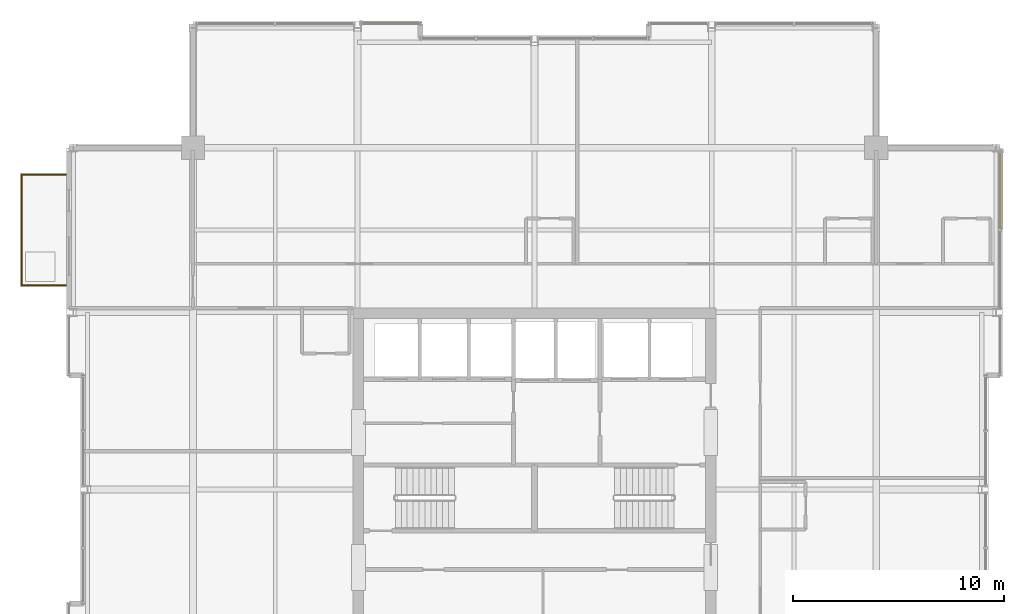
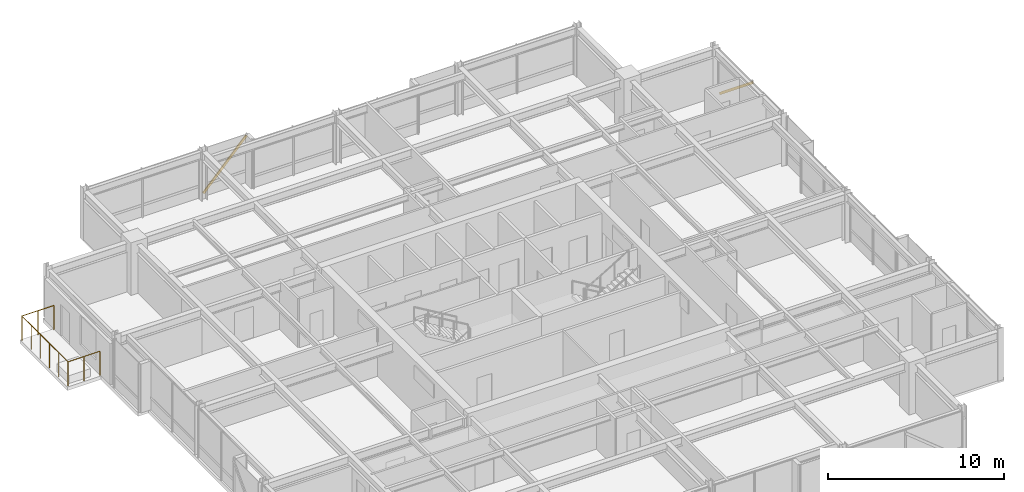
# One storey, part 33 of 33: 2 shading devices, 1 railing.
"""IFC4 building model written with IfcOpenShell, lengths in metres."""

from ifc_helpers import new_model, si_unit, direction, frame, origin, origin_2d, place, context, subcontext, project, spatial, hollow_rectangle, circle, extrude, material, material_profile, profile_set, type_object, element, save


model = new_model("IFC4")

# Units and contexts
model_context = context("Model", 3, precision=1e-05, world=origin(), true_north=direction((0.0, 1.0)))
body_context = subcontext(model_context, "Body", "Model", "MODEL_VIEW")
ifc_project = project(units=[si_unit("LENGTHUNIT", "METRE"), si_unit("AREAUNIT", "SQUARE_METRE"), si_unit("VOLUMEUNIT", "CUBIC_METRE"), si_unit("PLANEANGLEUNIT", "RADIAN"), si_unit("MASSUNIT", "GRAM", prefix="KILO")], contexts=[model_context])

# Site, building, storey
site_placement = place(None, origin())
site = spatial("IfcSite", under=ifc_project, at=site_placement, CompositionType="ELEMENT")
building_placement = place(site_placement, origin())
building = spatial("IfcBuilding", under=site, at=building_placement, Name="Drelvath Grand Hotel", CompositionType="ELEMENT")
storey_placement = place(building_placement, frame((0.0, 0.0, 275.949951171875)))
storey = spatial("IfcBuildingStorey", under=building, at=storey_placement, Name="L72", CompositionType="ELEMENT", Elevation=275.949951171875)

# Shading devices
ifc_material_1 = material(Name="Platinum-Mist Anodised Aluminium", Category="aluminium")
ifc_material_profile = material_profile(ifc_material_1, hollow_rectangle(XDim=0.06494140625, YDim=0.159912109375, WallThickness=0.00390625, at=origin_2d()), Name="HSS160X65X4")
ifc_profile_set = profile_set([ifc_material_profile], Name="Platinum-Mist Anodised Aluminium")
shading_device_type = type_object("IfcShadingDeviceType", Name="Diagonal Solar Fin Platinum Anodised HSS160X65X4", PredefinedType="USERDEFINED", material=ifc_profile_set)
shading_device_1_placement = place(storey_placement, frame((22.159912109375, 43.030029296875, 0.179931640625), z_axis=(0.0, -0.776173048096, 0.630519943705), x_axis=(1.0, 0.0, 0.0)))
element("IfcShadingDevice", 1, at=shading_device_1_placement, inside=storey, type_object=shading_device_type, Name="L72 Diagonal Anodised Fin CW05-L72-EN2", ObjectType="FIN", PredefinedType="USERDEFINED", context=body_context, shape_type="SweptSolid", body=[
    extrude(hollow_rectangle(XDim=0.06494140625, YDim=0.159912109375, WallThickness=0.00390625, at=origin_2d()), origin(), (0.0, 0.0, 1.0), 4.8056640625),
])
shading_device_2_placement = place(storey_placement, frame((-8.22998046875, 49.159912109375, 0.179931640625), z_axis=(0.682582554051, 0.0, 0.73080849537), x_axis=(0.0, 1.0, 0.0)))
element("IfcShadingDevice", 2, at=shading_device_2_placement, inside=storey, type_object=shading_device_type, Name="L72 Diagonal Anodised Fin CW05-L72-NW2", ObjectType="FIN", PredefinedType="USERDEFINED", context=body_context, shape_type="SweptSolid", body=[
    extrude(hollow_rectangle(XDim=0.06494140625, YDim=0.159912109375, WallThickness=0.00390625, at=origin_2d()), origin(), (0.0, 0.0, 1.0), 4.146240234375),
])

# Railing
ifc_material_2 = material(Name="Anodised Aluminium and Laminated Glass Balustrade", Category="aluminium")
railing_type = type_object("IfcRailingType", Name="Raised Planter Edge Balustrade 1700", PredefinedType="BALUSTRADE", material=ifc_material_2)
railing_placement = place(storey_placement, frame((-22.219970703125, 36.679931640625, 0.0)))
element("IfcRailing", 3, at=railing_placement, inside=storey, type_object=railing_type, Name="L72 Tree Balcony Perimeter Balustrade 1", PredefinedType="BALUSTRADE", context=body_context, shape_type="SweptSolid", body=[
    extrude(circle(Radius=0.02392578125, at=origin_2d()), frame((0.0, 0.0, 1.67578125), z_axis=(-1.0, 0.0, 0.0), x_axis=(0.0, -1.0, 0.0)), (0.0, 0.0, 1.0), 2.10009765625),
    extrude(circle(Radius=0.02392578125, at=origin_2d()), frame((-2.10009765625, 0.0, 1.67578125), z_axis=(0.0, 1.0, 0.0), x_axis=(-1.0, 0.0, 0.0)), (0.0, 0.0, 1.0), 5.239990234375),
    extrude(circle(Radius=0.02392578125, at=origin_2d()), frame((-2.10009765625, 5.239990234375, 1.67578125), z_axis=(1.0, 0.0, 0.0), x_axis=(0.0, 1.0, 0.0)), (0.0, 0.0, 1.0), 2.10009765625),
    extrude(circle(Radius=0.02099609375, at=origin_2d()), origin(), (0.0, 0.0, 1.0), 1.65185546875),
    extrude(circle(Radius=0.02099609375, at=origin_2d()), frame((-1.050048828125, 0.0, 0.0)), (0.0, 0.0, 1.0), 1.65185546875),
    extrude(circle(Radius=0.02099609375, at=origin_2d()), frame((-2.10009765625, 0.0, 0.0)), (0.0, 0.0, 1.0), 1.65185546875),
    extrude(circle(Radius=0.02099609375, at=origin_2d()), frame((-2.10009765625, 1.048095703125, 0.0)), (0.0, 0.0, 1.0), 1.65185546875),
    extrude(circle(Radius=0.02099609375, at=origin_2d()), frame((-2.10009765625, 2.095947265625, 0.0)), (0.0, 0.0, 1.0), 1.65185546875),
    extrude(circle(Radius=0.02099609375, at=origin_2d()), frame((-2.10009765625, 3.14404296875, 0.0)), (0.0, 0.0, 1.0), 1.65185546875),
    extrude(circle(Radius=0.02099609375, at=origin_2d()), frame((-2.10009765625, 4.19189453125, 0.0)), (0.0, 0.0, 1.0), 1.65185546875),
    extrude(circle(Radius=0.02099609375, at=origin_2d()), frame((-2.10009765625, 5.239990234375, 0.0)), (0.0, 0.0, 1.0), 1.65185546875),
    extrude(circle(Radius=0.02099609375, at=origin_2d()), frame((-1.050048828125, 5.239990234375, 0.0)), (0.0, 0.0, 1.0), 1.65185546875),
    extrude(circle(Radius=0.02099609375, at=origin_2d()), frame((0.0, 5.239990234375, 0.0)), (0.0, 0.0, 1.0), 1.65185546875),
])

save(model, "model.ifc")
